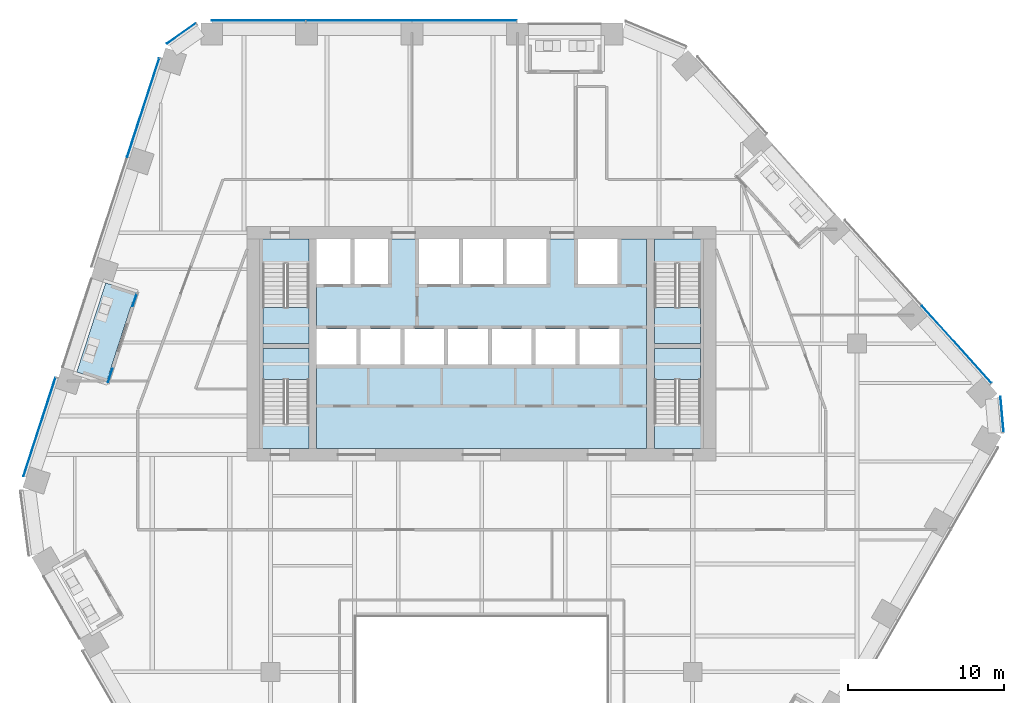
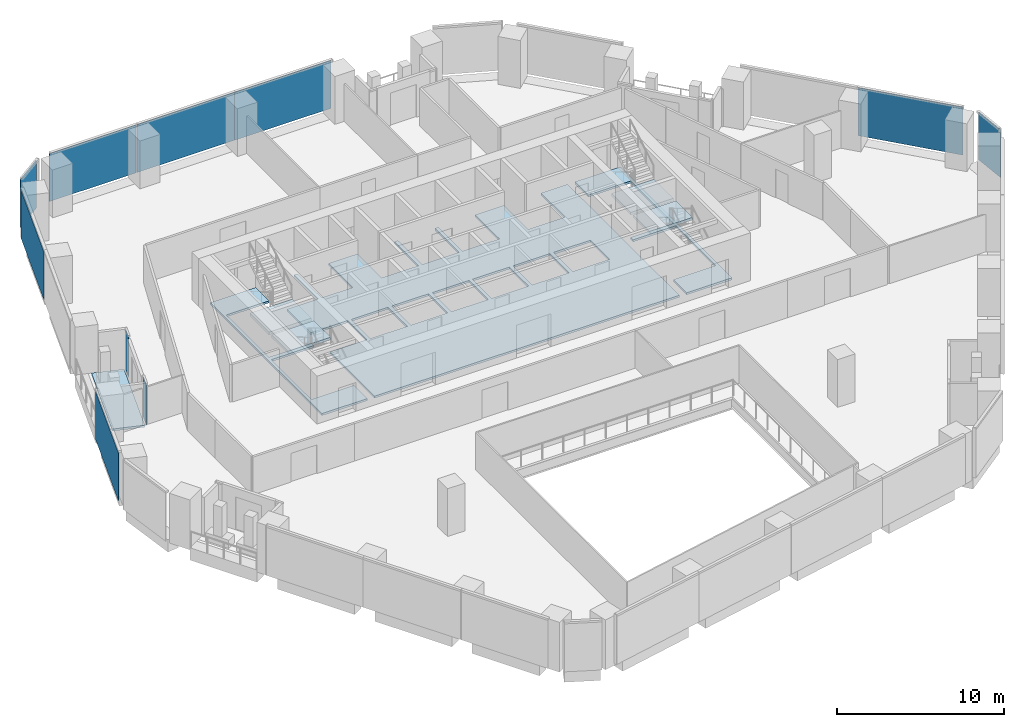
# One storey, part 15 of 24: 10 plates, 8 slabs, 10 elements without a shape of their own.
"""IFC4 building model written with IfcOpenShell, lengths in metres."""

from ifc_helpers import new_model, si_unit, direction, frame, origin, origin_2d, place, context, subcontext, project, spatial, polyline, rectangle, outline, extrude, material, layer, layer_set, type_object, element, aggregate, save


model = new_model("IFC4")

# Units and contexts
model_context = context("Model", 3, precision=1e-05, world=origin(), true_north=direction((0.0, 1.0)))
body_context = subcontext(model_context, "Body", "Model", "MODEL_VIEW")
ifc_project = project(units=[si_unit("LENGTHUNIT", "METRE"), si_unit("AREAUNIT", "SQUARE_METRE"), si_unit("VOLUMEUNIT", "CUBIC_METRE"), si_unit("PLANEANGLEUNIT", "RADIAN"), si_unit("MASSUNIT", "GRAM", prefix="KILO")], contexts=[model_context])

# Site, building, storey
site_placement = place(None, origin())
site = spatial("IfcSite", under=ifc_project, at=site_placement, CompositionType="ELEMENT")
building_placement = place(site_placement, origin())
building = spatial("IfcBuilding", under=site, at=building_placement, Name="Isthmus Gate Tower", CompositionType="ELEMENT")
storey_placement = place(building_placement, frame((0.0, 0.0, 159.0)))
storey = spatial("IfcBuildingStorey", under=building, at=storey_placement, Name="L39", CompositionType="ELEMENT", Elevation=159.0)

# Slabs
ifc_material_1 = material(Name="Concrete f'c 40 MPa", Category="concrete")
ifc_layer_1 = layer(ifc_material_1, 0.14990234375)
ifc_layer_set_1 = layer_set([ifc_layer_1], Name="CORE FLOOR SLAB 150")
slab_type_1 = type_object("IfcSlabType", Name="CORE FLOOR SLAB 150", PredefinedType="FLOOR", material=ifc_layer_set_1)
slab_1_placement = place(storey_placement, frame((0.0, 0.0, -0.14990234375)))
element("IfcSlab", 1, at=slab_1_placement, inside=storey, type_object=slab_type_1, Name="L39 core floor", PredefinedType="FLOOR", context=body_context, shape_type="SweptSolid", body=[
    extrude(outline(polyline([(-11.050048828125, 0.800048828125), (-11.050048828125, 2.402099609375), (-14.0, 2.402099609375), (-14.0, 7.199951171875), (-11.050048828125, 7.199951171875), (-11.050048828125, 7.5), (-14.0, 7.5), (-14.0, 12.597900390625), (-11.050048828125, 12.597900390625), (-11.050048828125, 14.199951171875), (-14.199951171875, 14.199951171875), (-14.199951171875, 0.800048828125), (-11.050048828125, 0.800048828125)])), origin(), (0.0, 0.0, 1.0), 0.14990234375),
])
slab_2_placement = place(storey_placement, frame((0.0, 0.0, -0.14990234375)))
element("IfcSlab", 2, at=slab_2_placement, inside=storey, type_object=slab_type_1, Name="L39 core floor", PredefinedType="FLOOR", context=body_context, shape_type="SweptSolid", body=[
    extrude(outline(polyline([(10.550048828125, 14.199951171875), (8.699951171875, 14.199951171875), (8.699951171875, 11.300048828125), (6.14990234375, 11.300048828125), (6.14990234375, 14.199951171875), (4.14990234375, 14.199951171875), (4.14990234375, 11.300048828125), (1.60009765625, 11.300048828125), (1.60009765625, 14.199951171875), (1.35009765625, 14.199951171875), (1.35009765625, 11.300048828125), (-1.199951171875, 11.300048828125), (-1.199951171875, 14.199951171875), (-1.449951171875, 14.199951171875), (-1.449951171875, 11.300048828125), (-4.0, 11.300048828125), (-4.0, 14.199951171875), (-6.0, 14.199951171875), (-6.0, 11.300048828125), (-8.14990234375, 11.300048828125), (-8.14990234375, 14.199951171875), (-8.39990234375, 14.199951171875), (-8.39990234375, 11.300048828125), (-10.550048828125, 11.300048828125), (-10.550048828125, 8.449951171875), (-8.0, 8.449951171875), (-8.0, 6.14990234375), (-10.550048828125, 6.14990234375), (-10.550048828125, 0.800048828125), (10.550048828125, 0.800048828125), (10.550048828125, 14.199951171875)]), holes=[polyline([(-5.199951171875, 8.449951171875), (-5.199951171875, 6.14990234375), (-7.75, 6.14990234375), (-7.75, 8.449951171875), (-5.199951171875, 8.449951171875)]), polyline([(-2.39990234375, 8.449951171875), (-2.39990234375, 6.14990234375), (-4.949951171875, 6.14990234375), (-4.949951171875, 8.449951171875), (-2.39990234375, 8.449951171875)]), polyline([(0.39990234375, 8.449951171875), (0.39990234375, 6.14990234375), (-2.14990234375, 6.14990234375), (-2.14990234375, 8.449951171875), (0.39990234375, 8.449951171875)]), polyline([(3.199951171875, 8.449951171875), (3.199951171875, 6.14990234375), (0.64990234375, 6.14990234375), (0.64990234375, 8.449951171875), (3.199951171875, 8.449951171875)]), polyline([(6.0, 8.449951171875), (6.0, 6.14990234375), (3.449951171875, 6.14990234375), (3.449951171875, 8.449951171875), (6.0, 8.449951171875)]), polyline([(8.800048828125, 8.449951171875), (8.800048828125, 6.14990234375), (6.25, 6.14990234375), (6.25, 8.449951171875), (8.800048828125, 8.449951171875)])]), origin(), (0.0, 0.0, 1.0), 0.14990234375),
])
slab_3_placement = place(storey_placement, frame((0.0, 0.0, -0.14990234375)))
element("IfcSlab", 3, at=slab_3_placement, inside=storey, type_object=slab_type_1, Name="L39 core floor", PredefinedType="FLOOR", context=body_context, shape_type="SweptSolid", body=[
    extrude(outline(polyline([(11.050048828125, 14.199951171875), (11.050048828125, 12.597900390625), (14.0, 12.597900390625), (14.0, 7.5), (11.050048828125, 7.5), (11.050048828125, 7.199951171875), (14.0, 7.199951171875), (14.0, 2.402099609375), (11.050048828125, 2.402099609375), (11.050048828125, 0.800048828125), (14.199951171875, 0.800048828125), (14.199951171875, 14.199951171875), (11.050048828125, 14.199951171875)])), origin(), (0.0, 0.0, 1.0), 0.14990234375),
])

# Curtain wall, plates
ifc_material_2 = material(Name="Aluminium, pale champagne anodised", Category="aluminium")
ifc_layer_2 = layer(ifc_material_2, 0.199951171875)
ifc_layer_set_2 = layer_set([ifc_layer_2], Name="CW-1 UNITISED CURTAIN WALL 200 DEEP")
curtain_wall_type_1 = type_object("IfcCurtainWallType", Name="CW-1 UNITISED CURTAIN WALL 200 DEEP", PredefinedType="NOTDEFINED", material=ifc_layer_set_2)
curtain_wall_1_placement = place(storey_placement, origin())
curtain_wall_1 = element("IfcCurtainWall", 4, at=curtain_wall_1_placement, inside=storey, type_object=curtain_wall_type_1, Name="CW-1 N L39", PredefinedType="NOTDEFINED")
ifc_material_3 = material(Name="Laminated low-iron glass, pale blue tint", Category="glass")
ifc_layer_3 = layer(ifc_material_3, 0.035888671875)
ifc_layer_set_3 = layer_set([ifc_layer_3], Name="CW-1 CLEAR GLASS LITE 36")
plate_type_1 = type_object("IfcPlateType", Name="CW-1 CLEAR GLASS LITE 36", PredefinedType="CURTAIN_PANEL", material=ifc_layer_set_3)
plate_1_placement = place(storey_placement, frame((-1.11669921875, 28.181884765625, 0.0), z_axis=(0.0, 0.0, 1.0), x_axis=(-1.0, 0.0, 0.0)))
plate_1 = element("IfcPlate", 5, at=plate_1_placement, type_object=plate_type_1, Name="CW-1 glass lite", PredefinedType="CURTAIN_PANEL", context=body_context, shape_type="SweptSolid", body=[
    extrude(rectangle(XDim=6.690185546875, YDim=0.035888671875, at=origin_2d()), origin(), (0.0, 0.0, 1.0), 3.510009765625),
])
plate_2_placement = place(storey_placement, frame((-7.836669921875, 28.181884765625, 0.0), z_axis=(0.0, 0.0, 1.0), x_axis=(-1.0, 0.0, 0.0)))
plate_2 = element("IfcPlate", 6, at=plate_2_placement, type_object=plate_type_1, Name="CW-1 glass lite", PredefinedType="CURTAIN_PANEL", context=body_context, shape_type="SweptSolid", body=[
    extrude(rectangle(XDim=6.750244140625, YDim=0.035888671875, at=origin_2d()), origin(), (0.0, 0.0, 1.0), 3.510009765625),
])
plate_3_placement = place(storey_placement, frame((-14.266845703125, 28.181884765625, 0.0), z_axis=(0.0, 0.0, 1.0), x_axis=(-1.0, 0.0, 0.0)))
plate_3 = element("IfcPlate", 7, at=plate_3_placement, type_object=plate_type_1, Name="CW-1 glass lite", PredefinedType="CURTAIN_PANEL", context=body_context, shape_type="SweptSolid", body=[
    extrude(rectangle(XDim=5.990234375, YDim=0.035888671875, at=origin_2d()), origin(), (0.0, 0.0, 1.0), 3.510009765625),
])
aggregate(curtain_wall_1, [plate_1, plate_2, plate_3])

# Curtain wall, plate
curtain_wall_2_placement = place(storey_placement, origin())
curtain_wall_2 = element("IfcCurtainWall", 8, at=curtain_wall_2_placement, inside=storey, type_object=curtain_wall_type_1, Name="CW-1 N-NW L39", PredefinedType="NOTDEFINED")
plate_4_placement = place(storey_placement, frame((-19.2119140625, 27.343017578125, 0.0), z_axis=(0.0, 0.0, 1.0), x_axis=(-0.81785959165, -0.57541783805, 0.0)))
plate_4 = element("IfcPlate", 9, at=plate_4_placement, type_object=plate_type_1, Name="CW-1 glass lite", PredefinedType="CURTAIN_PANEL", context=body_context, shape_type="SweptSolid", body=[
    extrude(rectangle(XDim=2.258544921875, YDim=0.035888671875, at=origin_2d()), origin(), (0.0, 0.0, 1.0), 3.510009765625),
])
aggregate(curtain_wall_2, [plate_4])

# Curtain wall, plates
curtain_wall_3_placement = place(storey_placement, origin())
curtain_wall_3 = element("IfcCurtainWall", 10, at=curtain_wall_3_placement, inside=storey, type_object=curtain_wall_type_1, Name="CW-1 NW L39", PredefinedType="NOTDEFINED")
plate_5_placement = place(storey_placement, frame((-21.647216796875, 22.59521484375, 0.0), z_axis=(0.0, 0.0, 1.0), x_axis=(-0.309016994375, -0.951056516295, 0.0)))
plate_5 = element("IfcPlate", 11, at=plate_5_placement, type_object=plate_type_1, Name="CW-1 glass lite", PredefinedType="CURTAIN_PANEL", context=body_context, shape_type="SweptSolid", body=[
    extrude(rectangle(XDim=6.630859375, YDim=0.035888671875, at=origin_2d()), origin(), (0.0, 0.0, 1.0), 3.510009765625),
])
plate_6_placement = place(storey_placement, frame((-28.28271484375, 2.173828125, 0.0), z_axis=(0.0, 0.0, 1.0), x_axis=(-0.309016994375, -0.951056516295, 0.0)))
plate_6 = element("IfcPlate", 12, at=plate_6_placement, type_object=plate_type_1, Name="CW-1 glass lite", PredefinedType="CURTAIN_PANEL", context=body_context, shape_type="SweptSolid", body=[
    extrude(rectangle(XDim=6.630859375, YDim=0.035888671875, at=origin_2d()), origin(), (0.0, 0.0, 1.0), 3.510009765625),
])
aggregate(curtain_wall_3, [plate_5, plate_6])

# Curtain wall, plate
curtain_wall_4_placement = place(storey_placement, origin())
curtain_wall_4 = element("IfcCurtainWall", 13, at=curtain_wall_4_placement, inside=storey, type_object=curtain_wall_type_1, Name="CW-1 SE-NE L39", PredefinedType="NOTDEFINED")
plate_7_placement = place(storey_placement, frame((33.285888671875, 2.966552734375, 0.0), z_axis=(0.0, 0.0, 1.0), x_axis=(-0.089396669717, 0.995996102123, 0.0)))
plate_7 = element("IfcPlate", 14, at=plate_7_placement, type_object=plate_type_1, Name="CW-1 glass lite", PredefinedType="CURTAIN_PANEL", context=body_context, shape_type="SweptSolid", body=[
    extrude(rectangle(XDim=2.258544921875, YDim=0.035888671875, at=origin_2d()), origin(), (0.0, 0.0, 1.0), 3.510009765625),
])
aggregate(curtain_wall_4, [plate_7])

curtain_wall_5_placement = place(storey_placement, origin())
curtain_wall_5 = element("IfcCurtainWall", 15, at=curtain_wall_5_placement, inside=storey, type_object=curtain_wall_type_1, Name="CW-1 NE L39", PredefinedType="NOTDEFINED")
plate_8_placement = place(storey_placement, frame((30.3916015625, 7.449462890625, 0.0), z_axis=(0.0, 0.0, 1.0), x_axis=(-0.669130606359, 0.743144825477, 0.0)))
plate_8 = element("IfcPlate", 16, at=plate_8_placement, type_object=plate_type_1, Name="CW-1 glass lite", PredefinedType="CURTAIN_PANEL", context=body_context, shape_type="SweptSolid", body=[
    extrude(rectangle(XDim=6.630859375, YDim=0.035888671875, at=origin_2d()), origin(), (0.0, 0.0, 1.0), 3.510009765625),
])
aggregate(curtain_wall_5, [plate_8])

# Curtain wall, plates
ifc_material_4 = material(Name="Aluminium, pale champagne anodised", Category="aluminium")
ifc_layer_4 = layer(ifc_material_4, 0.14990234375)
ifc_layer_set_4 = layer_set([ifc_layer_4], Name="CW-6 LOGGIA BACK WALL GLAZING 150 DEEP")
curtain_wall_type_2 = type_object("IfcCurtainWallType", Name="CW-6 LOGGIA BACK WALL GLAZING 150 DEEP", PredefinedType="NOTDEFINED", material=ifc_layer_set_4)
curtain_wall_6_placement = place(storey_placement, origin())
curtain_wall_6 = element("IfcCurtainWall", 17, at=curtain_wall_6_placement, inside=storey, type_object=curtain_wall_type_2, Name="CW-6 NW L39", PredefinedType="NOTDEFINED")
ifc_material_5 = material(Name="Laminated low-iron glass, clear", Category="glass")
ifc_layer_5 = layer(ifc_material_5, 0.031982421875)
ifc_layer_set_5 = layer_set([ifc_layer_5], Name="CW-6 CLEAR GLASS LITE 32")
plate_type_2 = type_object("IfcPlateType", Name="CW-6 CLEAR GLASS LITE 32", PredefinedType="CURTAIN_PANEL", material=ifc_layer_set_5)
plate_9_placement = place(storey_placement, frame((-22.1982421875, 10.27880859375, 0.0), z_axis=(0.0, 0.0, 1.0), x_axis=(-0.309016994375, -0.951056516295, 0.0)))
plate_9 = element("IfcPlate", 18, at=plate_9_placement, type_object=plate_type_2, Name="CW-6 glass lite", PredefinedType="CURTAIN_PANEL", context=body_context, shape_type="SweptSolid", body=[
    extrude(rectangle(XDim=0.83544921875, YDim=0.031982421875, at=origin_2d()), origin(), (0.0, 0.0, 1.0), 2.929931640625),
])
plate_10_placement = place(storey_placement, frame((-23.763671875, 5.46142578125, 0.0), z_axis=(0.0, 0.0, 1.0), x_axis=(-0.309016994375, -0.951056516295, 0.0)))
plate_10 = element("IfcPlate", 19, at=plate_10_placement, type_object=plate_type_2, Name="CW-6 glass lite", PredefinedType="CURTAIN_PANEL", context=body_context, shape_type="SweptSolid", body=[
    extrude(rectangle(XDim=0.8955078125, YDim=0.031982421875, at=origin_2d()), origin(), (0.0, 0.0, 1.0), 2.929931640625),
])
aggregate(curtain_wall_6, [plate_9, plate_10])

# Slab
ifc_material_6 = material(Name="Concrete f'c 50 MPa", Category="concrete")
ifc_layer_6 = layer(ifc_material_6, 0.14990234375)
ifc_layer_set_6 = layer_set([ifc_layer_6], Name="LOGGIA FLOOR SLAB 150")
slab_type_2 = type_object("IfcSlabType", Name="LOGGIA FLOOR SLAB 150", PredefinedType="FLOOR", material=ifc_layer_set_6)
slab_4_placement = place(storey_placement, frame((0.0, 0.0, -0.14990234375)))
element("IfcSlab", 20, at=slab_4_placement, inside=storey, type_object=slab_type_2, Name="LOGGIA FLOOR", PredefinedType="FLOOR", context=body_context, shape_type="SweptSolid", body=[
    extrude(outline(polyline([(-24.0478515625, 11.382080078125), (-25.899169921875, 5.6845703125), (-23.9970703125, 5.06640625), (-22.145751953125, 10.763916015625), (-24.0478515625, 11.382080078125)])), origin(), (0.0, 0.0, 1.0), 0.14990234375),
])

# Stair, slab
ifc_material_7 = material(Name="Concrete f'c 40 MPa", Category="concrete")
stair_type = type_object("IfcStairType", Name="CORE STAIR 22 RISERS", PredefinedType="HALF_TURN_STAIR", material=ifc_material_7)
stair_1_placement = place(storey_placement, origin())
stair_1 = element("IfcStair", 21, at=stair_1_placement, inside=storey, type_object=stair_type, Name="L39 Exit Stair 1", PredefinedType="HALF_TURN_STAIR")
ifc_material_8 = material(Name="Concrete f'c 40 MPa", Category="concrete")
ifc_layer_7 = layer(ifc_material_8, 0.199951171875)
ifc_layer_set_7 = layer_set([ifc_layer_7])
slab_type_3 = type_object("IfcSlabType", Name="STAIR LANDING RC 200", PredefinedType="LANDING", material=ifc_layer_set_7)
slab_5_placement = place(storey_placement, frame((0.0, 0.0, 1.625)))
slab_5 = element("IfcSlab", 22, at=slab_5_placement, type_object=slab_type_3, Name="ST1 landing 1", PredefinedType="LANDING", context=body_context, shape_type="SweptSolid", body=[
    extrude(outline(polyline([(-14.0, 9.800048828125), (-14.0, 7.5), (-11.050048828125, 7.5), (-11.050048828125, 9.800048828125), (-14.0, 9.800048828125)])), origin(), (0.0, 0.0, 1.0), 0.199951171875),
])
aggregate(stair_1, [slab_5])

stair_2_placement = place(storey_placement, origin())
stair_2 = element("IfcStair", 23, at=stair_2_placement, inside=storey, type_object=stair_type, Name="L39 Exit Stair 2", PredefinedType="HALF_TURN_STAIR")
slab_6_placement = place(storey_placement, frame((0.0, 0.0, 1.625)))
slab_6 = element("IfcSlab", 24, at=slab_6_placement, type_object=slab_type_3, Name="ST2 landing 1", PredefinedType="LANDING", context=body_context, shape_type="SweptSolid", body=[
    extrude(outline(polyline([(11.050048828125, 9.800048828125), (11.050048828125, 7.5), (14.0, 7.5), (14.0, 9.800048828125), (11.050048828125, 9.800048828125)])), origin(), (0.0, 0.0, 1.0), 0.199951171875),
])
aggregate(stair_2, [slab_6])

stair_3_placement = place(storey_placement, origin())
stair_3 = element("IfcStair", 25, at=stair_3_placement, inside=storey, type_object=stair_type, Name="L39 Exit Stair 7", PredefinedType="HALF_TURN_STAIR")
slab_7_placement = place(storey_placement, frame((0.0, 0.0, 1.625)))
slab_7 = element("IfcSlab", 26, at=slab_7_placement, type_object=slab_type_3, Name="ST7 landing 1", PredefinedType="LANDING", context=body_context, shape_type="SweptSolid", body=[
    extrude(outline(polyline([(-11.050048828125, 5.199951171875), (-11.050048828125, 7.199951171875), (-14.0, 7.199951171875), (-14.0, 5.199951171875), (-11.050048828125, 5.199951171875)])), origin(), (0.0, 0.0, 1.0), 0.199951171875),
])
aggregate(stair_3, [slab_7])

stair_4_placement = place(storey_placement, origin())
stair_4 = element("IfcStair", 27, at=stair_4_placement, inside=storey, type_object=stair_type, Name="L39 Exit Stair 8", PredefinedType="HALF_TURN_STAIR")
slab_8_placement = place(storey_placement, frame((0.0, 0.0, 1.625)))
slab_8 = element("IfcSlab", 28, at=slab_8_placement, type_object=slab_type_3, Name="ST8 landing 1", PredefinedType="LANDING", context=body_context, shape_type="SweptSolid", body=[
    extrude(outline(polyline([(14.0, 5.199951171875), (14.0, 7.199951171875), (11.050048828125, 7.199951171875), (11.050048828125, 5.199951171875), (14.0, 5.199951171875)])), origin(), (0.0, 0.0, 1.0), 0.199951171875),
])
aggregate(stair_4, [slab_8])

save(model, "model.ifc")
